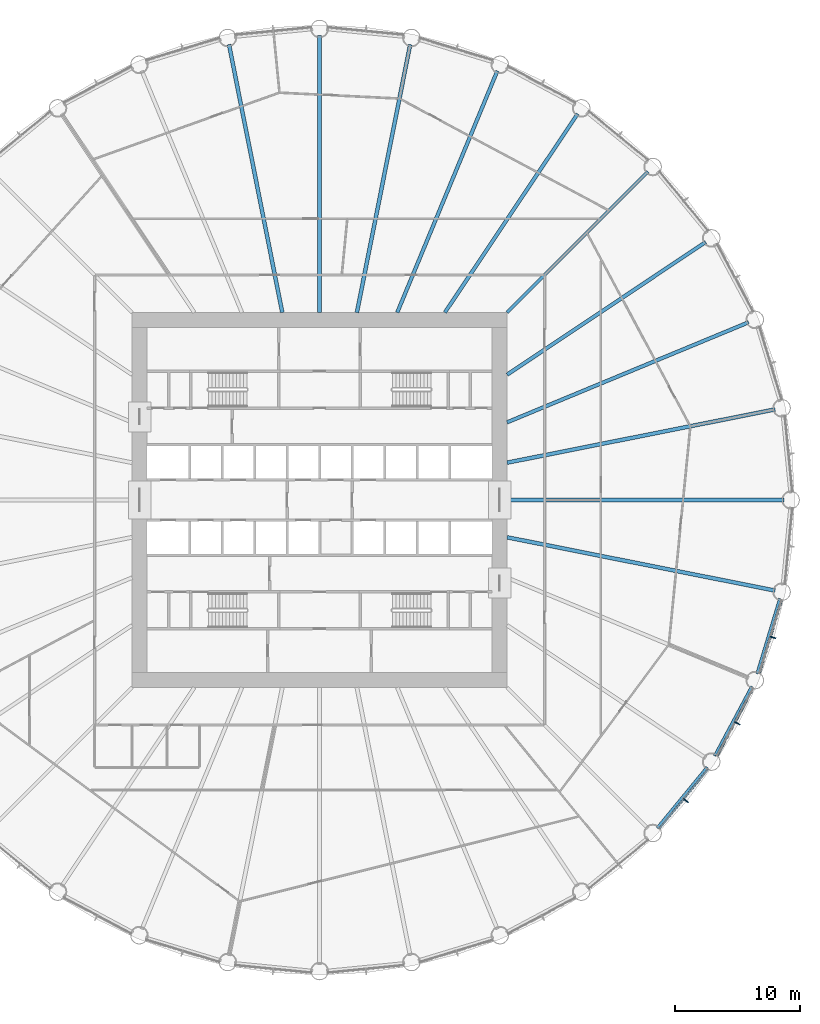
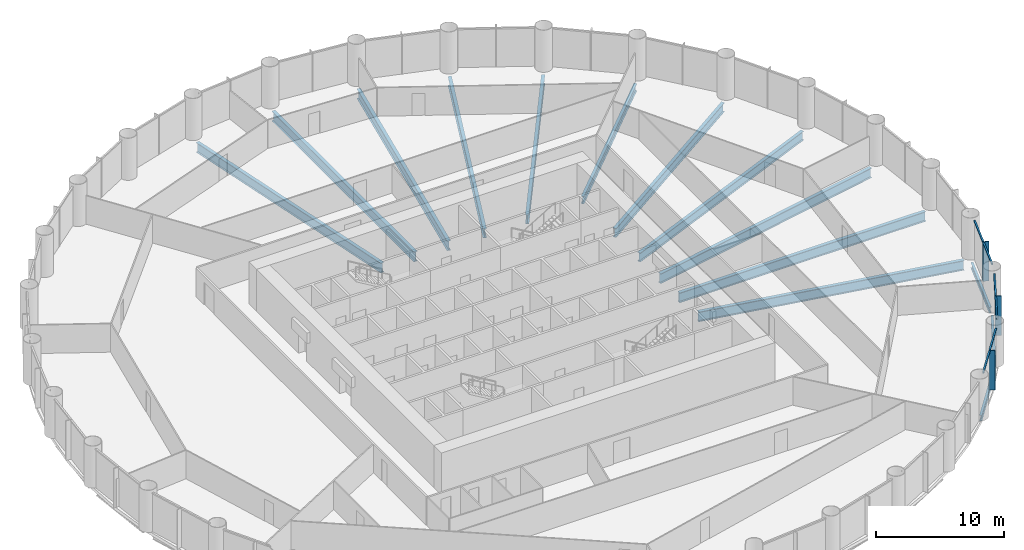
# One storey, part 5 of 15: 14 beams, 9 members, 3 elements without a shape of their own.
"""IFC4 building model written with IfcOpenShell, lengths in metres."""

from ifc_helpers import new_model, si_unit, direction, frame, origin, origin_2d, place, context, subcontext, project, spatial, rectangle, i_section, extrude, material, material_profile, profile_set, type_object, element, aggregate, save


model = new_model("IFC4")

# Units and contexts
model_context = context("Model", 3, precision=1e-05, world=origin(), true_north=direction((0.0, 1.0)))
body_context = subcontext(model_context, "Body", "Model", "MODEL_VIEW")
ifc_project = project(units=[si_unit("LENGTHUNIT", "METRE"), si_unit("AREAUNIT", "SQUARE_METRE"), si_unit("VOLUMEUNIT", "CUBIC_METRE"), si_unit("PLANEANGLEUNIT", "RADIAN"), si_unit("MASSUNIT", "GRAM", prefix="KILO")], contexts=[model_context])

# Site, building, storey
site_placement = place(None, origin())
site = spatial("IfcSite", under=ifc_project, at=site_placement, CompositionType="ELEMENT")
building_placement = place(site_placement, origin())
building = spatial("IfcBuilding", under=site, at=building_placement, Name="Corvane Civic Tower", CompositionType="ELEMENT")
storey_placement = place(building_placement, frame((0.0, 0.0, 45.0)))
storey = spatial("IfcBuildingStorey", under=building, at=storey_placement, Name="L09", CompositionType="ELEMENT", Elevation=45.0)

# Beams
ifc_material_1 = material(Name="Steel ASTM A992 Gr 50", Category="steel")
ifc_material_profile_1 = material_profile(ifc_material_1, i_section(OverallWidth=0.209228515625, OverallDepth=0.533447265625, WebThickness=0.01025390625, FlangeThickness=0.015625, at=origin_2d()), Name="W21X62")
ifc_profile_set_1 = profile_set([ifc_material_profile_1], Name="Steel ASTM A992 Gr 50")
beam_type_1 = type_object("IfcBeamType", Name="EDGE BEAM W21X62", PredefinedType="BEAM", material=ifc_profile_set_1)
for number, where, z_axis, x_axis, name in (
    (1, (36.81591796875, -7.88134765625, -0.566650390625), (-0.290273452184, -0.956943740748, 0.0), (0.956943740748, -0.290273452184, 0.0), "BM-L09-E10"),
    (2, (34.571044921875, -14.912353515625, -0.566650390625), (-0.471405897311, -0.881916367906, 0.0), (0.881916367906, -0.471405897311, 0.0), "BM-L09-E11"),
):
    element("IfcBeam", number, at=place(storey_placement, frame(where, z_axis=z_axis, x_axis=x_axis)), inside=storey, type_object=beam_type_1, Name=name, PredefinedType="BEAM", context=body_context, shape_type="SweptSolid", body=[
        extrude(i_section(OverallWidth=0.209228515625, OverallDepth=0.533447265625, WebThickness=0.01025390625, FlangeThickness=0.015625, at=origin_2d()), origin(), (0.0, 0.0, 1.0), 6.290283203125),
    ])
beam_1_placement = place(storey_placement, frame((30.99755859375, -21.3701171875, -0.566650390625), z_axis=(-0.634386787141, -0.773015785286, 0.0), x_axis=(0.773015785286, -0.634386787141, 0.0)))
element("IfcBeam", 3, at=beam_1_placement, inside=storey, type_object=beam_type_1, Name="BM-L09-E12", PredefinedType="BEAM", context=body_context, shape_type="SweptSolid", body=[
    extrude(i_section(OverallWidth=0.209228515625, OverallDepth=0.533447265625, WebThickness=0.01025390625, FlangeThickness=0.015625, at=origin_2d()), origin(), (0.0, 0.0, 1.0), 6.290771484375),
])
ifc_material_2 = material(Name="Steel ASTM A992 Gr 50", Category="steel")
ifc_material_profile_2 = material_profile(ifc_material_2, i_section(OverallWidth=0.256591796875, OverallDepth=0.693359375, WebThickness=0.014404296875, FlangeThickness=0.023681640625, at=origin_2d()), Name="W27X114")
ifc_profile_set_2 = profile_set([ifc_material_profile_2], Name="Steel ASTM A992 Gr 50")
beam_type_2 = type_object("IfcBeamType", Name="FLOOR GIRDER W27X114", PredefinedType="BEAM", material=ifc_profile_set_2)
beam_2_placement = place(storey_placement, frame((15.0, 15.0, -0.646728515625), z_axis=(0.707106781187, 0.707106781187, 0.0), x_axis=(-0.707106781187, 0.707106781187, 0.0)))
element("IfcBeam", 4, at=beam_2_placement, inside=storey, type_object=beam_type_2, Name="BM-L09-G05", PredefinedType="BEAM", context=body_context, shape_type="SweptSolid", body=[
    extrude(i_section(OverallWidth=0.256591796875, OverallDepth=0.693359375, WebThickness=0.014404296875, FlangeThickness=0.023681640625, at=origin_2d()), origin(), (0.0, 0.0, 1.0), 15.936767578125),
])
ifc_material_3 = material(Name="Steel ASTM A992 Gr 50", Category="steel")
ifc_material_profile_3 = material_profile(ifc_material_3, i_section(OverallWidth=0.2919921875, OverallDepth=0.8583984375, WebThickness=0.01708984375, FlangeThickness=0.031005859375, at=origin_2d()), Name="W33X169")
ifc_profile_set_3 = profile_set([ifc_material_profile_3], Name="Steel ASTM A992 Gr 50")
beam_type_3 = type_object("IfcBeamType", Name="FLOOR GIRDER W33X169", PredefinedType="BEAM", material=ifc_profile_set_3)
beam_3_placement = place(storey_placement, frame((6.213134765625, 15.0, -0.729248046875), z_axis=(0.382692360381, 0.923875834355, 0.0), x_axis=(-0.923875834355, 0.382692360381, 0.0)))
element("IfcBeam", 5, at=beam_3_placement, inside=storey, type_object=beam_type_3, Name="BM-L09-G03", PredefinedType="BEAM", context=body_context, shape_type="SweptSolid", body=[
    extrude(i_section(OverallWidth=0.2919921875, OverallDepth=0.8583984375, WebThickness=0.01708984375, FlangeThickness=0.031005859375, at=origin_2d()), origin(), (0.0, 0.0, 1.0), 20.9140625),
])
for number, where, z_axis, x_axis, name in (
    (6, (10.022705078125, 15.0, -0.729248046875), (0.555566681385, 0.831471985418, 0.0), (-0.831471985418, 0.555566681385, 0.0), "BM-L09-G04"),
    (7, (15.0, 10.022705078125, -0.729248046875), (0.831471985418, 0.555566681385, 0.0), (-0.555566681385, 0.831471985418, 0.0), "BM-L09-G06"),
):
    element("IfcBeam", number, at=place(storey_placement, frame(where, z_axis=z_axis, x_axis=x_axis)), inside=storey, type_object=beam_type_3, Name=name, PredefinedType="BEAM", context=body_context, shape_type="SweptSolid", body=[
        extrude(i_section(OverallWidth=0.2919921875, OverallDepth=0.8583984375, WebThickness=0.01708984375, FlangeThickness=0.031005859375, at=origin_2d()), origin(), (0.0, 0.0, 1.0), 19.109619140625),
    ])
beam_4_placement = place(storey_placement, frame((15.0, 6.213134765625, -0.729248046875), z_axis=(0.923875834355, 0.382692360381, 0.0), x_axis=(-0.382692360381, 0.923875834355, 0.0)))
element("IfcBeam", 8, at=beam_4_placement, inside=storey, type_object=beam_type_3, Name="BM-L09-G07", PredefinedType="BEAM", context=body_context, shape_type="SweptSolid", body=[
    extrude(i_section(OverallWidth=0.2919921875, OverallDepth=0.8583984375, WebThickness=0.01708984375, FlangeThickness=0.031005859375, at=origin_2d()), origin(), (0.0, 0.0, 1.0), 20.9140625),
])
ifc_material_4 = material(Name="Steel ASTM A992 Gr 50", Category="steel")
ifc_material_profile_4 = material_profile(ifc_material_4, i_section(OverallWidth=0.307373046875, OverallDepth=0.927001953125, WebThickness=0.01953125, FlangeThickness=0.031982421875, at=origin_2d()), Name="W36X194")
ifc_profile_set_4 = profile_set([ifc_material_profile_4], Name="Steel ASTM A992 Gr 50")
beam_type_4 = type_object("IfcBeamType", Name="FLOOR GIRDER W36X194", PredefinedType="BEAM", material=ifc_profile_set_4)
beam_5_placement = place(storey_placement, frame((0.0, 15.0, -0.763671875), z_axis=(0.0, 1.0, 0.0), x_axis=(-1.0, 0.0, 0.0)))
element("IfcBeam", 9, at=beam_5_placement, inside=storey, type_object=beam_type_4, Name="BM-L09-G01", PredefinedType="BEAM", context=body_context, shape_type="SweptSolid", body=[
    extrude(i_section(OverallWidth=0.307373046875, OverallDepth=0.927001953125, WebThickness=0.01953125, FlangeThickness=0.031982421875, at=origin_2d()), origin(), (0.0, 0.0, 1.0), 22.14990234375),
])
for number, where, z_axis, x_axis, name in (
    (10, (2.983642578125, 15.0, -0.763671875), (0.195089219638, 0.980785499679, 0.0), (-0.980785499679, 0.195089219638, 0.0), "BM-L09-G02"),
    (11, (15.0, 2.983642578125, -0.763671875), (0.980785499679, 0.195089219638, 0.0), (-0.195089219638, 0.980785499679, 0.0), "BM-L09-G08"),
):
    element("IfcBeam", number, at=place(storey_placement, frame(where, z_axis=z_axis, x_axis=x_axis)), inside=storey, type_object=beam_type_4, Name=name, PredefinedType="BEAM", context=body_context, shape_type="SweptSolid", body=[
        extrude(i_section(OverallWidth=0.307373046875, OverallDepth=0.927001953125, WebThickness=0.01953125, FlangeThickness=0.031982421875, at=origin_2d()), origin(), (0.0, 0.0, 1.0), 21.856201171875),
    ])
beam_6_placement = place(storey_placement, frame((15.0, 0.0, -0.763671875), z_axis=(1.0, 0.0, 0.0), x_axis=(0.0, 1.0, 0.0)))
element("IfcBeam", 12, at=beam_6_placement, inside=storey, type_object=beam_type_4, Name="BM-L09-G09", PredefinedType="BEAM", context=body_context, shape_type="SweptSolid", body=[
    extrude(i_section(OverallWidth=0.307373046875, OverallDepth=0.927001953125, WebThickness=0.01953125, FlangeThickness=0.031982421875, at=origin_2d()), origin(), (0.0, 0.0, 1.0), 22.14990234375),
])
for number, where, z_axis, x_axis, name in (
    (13, (15.0, -2.983642578125, -0.763671875), (0.980785499679, -0.195089219638, 0.0), (0.195089219638, 0.980785499679, 0.0), "BM-L09-G10"),
    (14, (-2.983642578125, 15.0, -0.763671875), (-0.195089219638, 0.980785499679, 0.0), (-0.980785499679, -0.195089219638, 0.0), "BM-L09-G32"),
):
    element("IfcBeam", number, at=place(storey_placement, frame(where, z_axis=z_axis, x_axis=x_axis)), inside=storey, type_object=beam_type_4, Name=name, PredefinedType="BEAM", context=body_context, shape_type="SweptSolid", body=[
        extrude(i_section(OverallWidth=0.307373046875, OverallDepth=0.927001953125, WebThickness=0.01953125, FlangeThickness=0.031982421875, at=origin_2d()), origin(), (0.0, 0.0, 1.0), 21.856201171875),
    ])

# Curtain wall, members
ifc_material_5 = material(Name="Anodised aluminium bronze", Category="aluminium")
curtain_wall_type = type_object("IfcCurtainWallType", Name="TOWER CW-T1 STICK CURTAIN WALL", PredefinedType="NOTDEFINED", material=ifc_material_5)
curtain_wall_1_placement = place(storey_placement, origin())
curtain_wall_1 = element("IfcCurtainWall", 15, at=curtain_wall_1_placement, inside=storey, type_object=curtain_wall_type, Name="Curtain wall CW-T1 L09 bay 10", PredefinedType="NOTDEFINED")
ifc_material_6 = material(Name="Anodised aluminium bronze", Category="aluminium")
ifc_material_profile_5 = material_profile(ifc_material_6, rectangle(XDim=0.139892578125, YDim=0.1201171875, at=origin_2d()), Name="TOWER CW-T1 TRANSOM 140x120")
ifc_profile_set_5 = profile_set([ifc_material_profile_5], Name="Anodised aluminium bronze")
member_type_1 = type_object("IfcMemberType", Name="TOWER CW-T1 TRANSOM 140x120", PredefinedType="USERDEFINED", material=ifc_profile_set_5)
member_1_placement = place(storey_placement, frame((36.959228515625, -8.02587890625, 3.68994140625), z_axis=(-0.290279914268, -0.956941780555, 0.0), x_axis=(0.956941780555, -0.290279914268, 0.0)))
member_1 = element("IfcMember", 16, at=member_1_placement, type_object=member_type_1, Name="Transom CW-T1 L09 10.1", ObjectType="TRANSOM", PredefinedType="USERDEFINED", context=body_context, shape_type="SweptSolid", body=[
    extrude(rectangle(XDim=0.139892578125, YDim=0.1201171875, at=origin_2d()), origin(), (0.0, 0.0, 1.0), 3.008544921875),
])
member_2_placement = place(storey_placement, frame((36.062744140625, -10.9814453125, 3.68994140625), z_axis=(-0.290279914268, -0.956941780555, 0.0), x_axis=(0.956941780555, -0.290279914268, 0.0)))
member_2 = element("IfcMember", 17, at=member_2_placement, type_object=member_type_1, Name="Transom CW-T1 L09 10.2", ObjectType="TRANSOM", PredefinedType="USERDEFINED", context=body_context, shape_type="SweptSolid", body=[
    extrude(rectangle(XDim=0.139892578125, YDim=0.1201171875, at=origin_2d()), origin(), (0.0, 0.0, 1.0), 3.008544921875),
])

curtain_wall_2_placement = place(storey_placement, origin())
curtain_wall_2 = element("IfcCurtainWall", 18, at=curtain_wall_2_placement, inside=storey, type_object=curtain_wall_type, Name="Curtain wall CW-T1 L09 bay 11", PredefinedType="NOTDEFINED")
member_3_placement = place(storey_placement, frame((34.683349609375, -15.08203125, 3.68994140625), z_axis=(-0.471392506424, -0.881923525532, 0.0), x_axis=(0.881923525532, -0.471392506424, 0.0)))
member_3 = element("IfcMember", 19, at=member_3_placement, type_object=member_type_1, Name="Transom CW-T1 L09 11.1", ObjectType="TRANSOM", PredefinedType="USERDEFINED", context=body_context, shape_type="SweptSolid", body=[
    extrude(rectangle(XDim=0.139892578125, YDim=0.1201171875, at=origin_2d()), origin(), (0.0, 0.0, 1.0), 3.008544921875),
])
member_4_placement = place(storey_placement, frame((33.2275390625, -17.805908203125, 3.68994140625), z_axis=(-0.471392506424, -0.881923525532, 0.0), x_axis=(0.881923525532, -0.471392506424, 0.0)))
member_4 = element("IfcMember", 20, at=member_4_placement, type_object=member_type_1, Name="Transom CW-T1 L09 11.2", ObjectType="TRANSOM", PredefinedType="USERDEFINED", context=body_context, shape_type="SweptSolid", body=[
    extrude(rectangle(XDim=0.139892578125, YDim=0.1201171875, at=origin_2d()), origin(), (0.0, 0.0, 1.0), 3.008544921875),
])

curtain_wall_3_placement = place(storey_placement, origin())
curtain_wall_3 = element("IfcCurtainWall", 21, at=curtain_wall_3_placement, inside=storey, type_object=curtain_wall_type, Name="Curtain wall CW-T1 L09 bay 12", PredefinedType="NOTDEFINED")
member_5_placement = place(storey_placement, frame((31.074462890625, -21.55859375, 3.68994140625), z_axis=(-0.634355161466, -0.773041738279, 0.0), x_axis=(0.773041738279, -0.634355161466, 0.0)))
member_5 = element("IfcMember", 22, at=member_5_placement, type_object=member_type_1, Name="Transom CW-T1 L09 12.1", ObjectType="TRANSOM", PredefinedType="USERDEFINED", context=body_context, shape_type="SweptSolid", body=[
    extrude(rectangle(XDim=0.139892578125, YDim=0.1201171875, at=origin_2d()), origin(), (0.0, 0.0, 1.0), 3.008544921875),
])
member_6_placement = place(storey_placement, frame((29.115234375, -23.946044921875, 3.68994140625), z_axis=(-0.634403652865, -0.773001943873, 0.0), x_axis=(0.773001943873, -0.634403652865, 0.0)))
member_6 = element("IfcMember", 23, at=member_6_placement, type_object=member_type_1, Name="Transom CW-T1 L09 12.2", ObjectType="TRANSOM", PredefinedType="USERDEFINED", context=body_context, shape_type="SweptSolid", body=[
    extrude(rectangle(XDim=0.139892578125, YDim=0.1201171875, at=origin_2d()), origin(), (0.0, 0.0, 1.0), 3.008544921875),
])

# Member
ifc_material_7 = material(Name="Anodised aluminium bronze", Category="aluminium")
ifc_material_profile_6 = material_profile(ifc_material_7, rectangle(XDim=0.080078125, YDim=0.5, at=origin_2d()), Name="TOWER FIN MULLION 80x500 BRONZE")
ifc_profile_set_6 = profile_set([ifc_material_profile_6], Name="Anodised aluminium bronze")
member_type_2 = type_object("IfcMemberType", Name="TOWER FIN MULLION 80x500 BRONZE", PredefinedType="MULLION", material=ifc_profile_set_6)
member_7_placement = place(storey_placement, frame((36.265625, -11.001220703125, 0.0), z_axis=(0.0, 0.0, 1.0), x_axis=(-0.290278397654, -0.956942240606, 0.0)))
member_7 = element("IfcMember", 24, at=member_7_placement, type_object=member_type_2, Name="Fin mullion 10 L09", PredefinedType="MULLION", context=body_context, shape_type="SweptSolid", body=[
    extrude(rectangle(XDim=0.080078125, YDim=0.5, at=origin_2d()), origin(), (0.0, 0.0, 1.0), 3.75),
])

aggregate(curtain_wall_1, [member_7, member_1, member_2])

member_8_placement = place(storey_placement, frame((33.422607421875, -17.86474609375, 0.0), z_axis=(0.0, 0.0, 1.0), x_axis=(-0.471403725359, -0.881917528864, 0.0)))
member_8 = element("IfcMember", 25, at=member_8_placement, type_object=member_type_2, Name="Fin mullion 11 L09", PredefinedType="MULLION", context=body_context, shape_type="SweptSolid", body=[
    extrude(rectangle(XDim=0.080078125, YDim=0.5, at=origin_2d()), origin(), (0.0, 0.0, 1.0), 3.75),
])

aggregate(curtain_wall_2, [member_8, member_3, member_4])

member_9_placement = place(storey_placement, frame((29.295166015625, -24.0419921875, 0.0), z_axis=(0.0, 0.0, 1.0), x_axis=(-0.634397218569, -0.773007224463, 0.0)))
member_9 = element("IfcMember", 26, at=member_9_placement, type_object=member_type_2, Name="Fin mullion 12 L09", PredefinedType="MULLION", context=body_context, shape_type="SweptSolid", body=[
    extrude(rectangle(XDim=0.080078125, YDim=0.5, at=origin_2d()), origin(), (0.0, 0.0, 1.0), 3.75),
])

aggregate(curtain_wall_3, [member_9, member_5, member_6])

save(model, "model.ifc")
